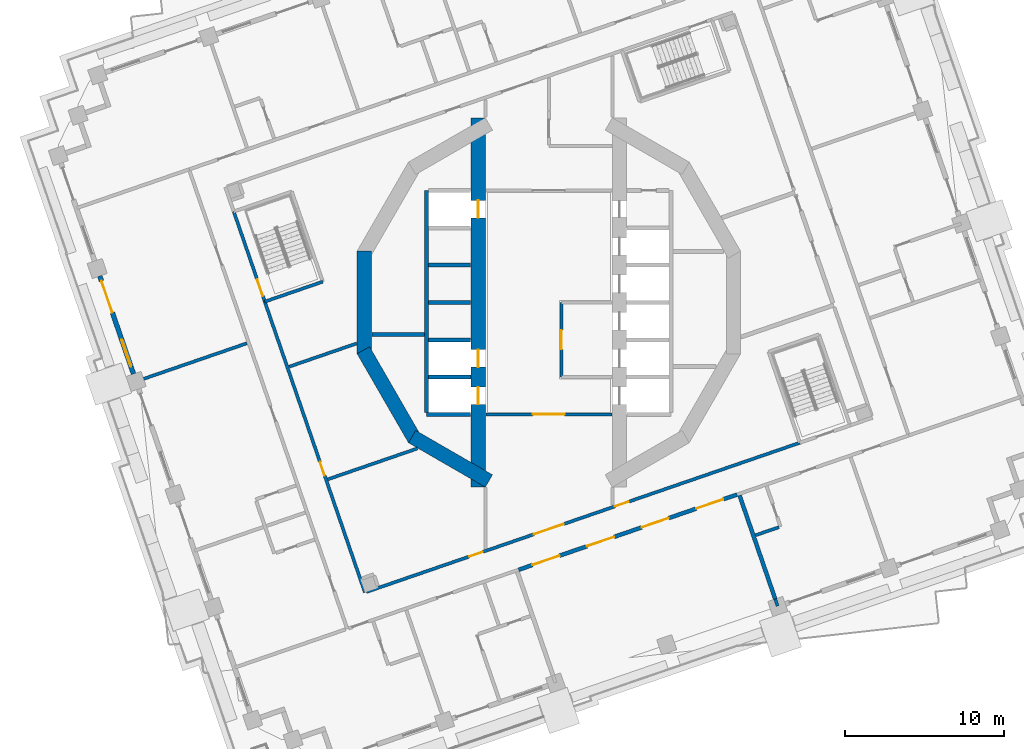
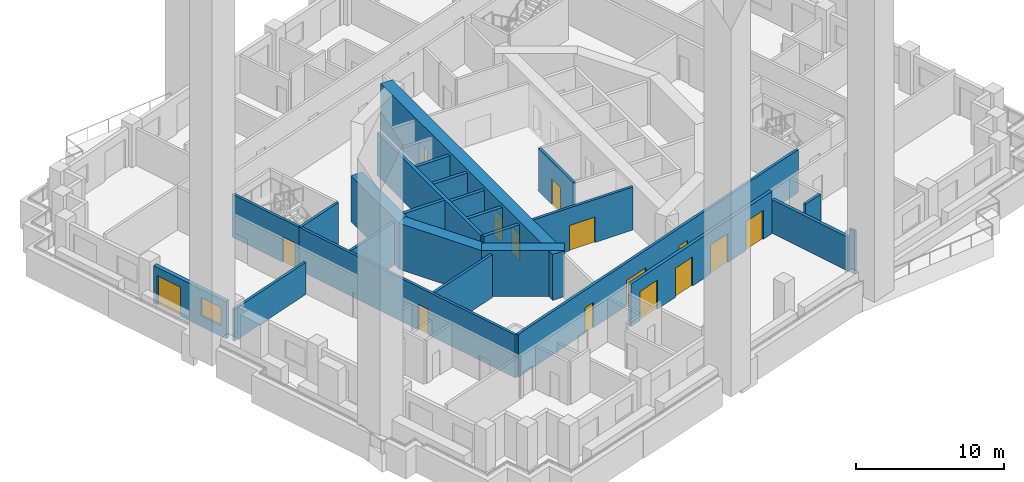
# One storey, part 4 of 18: 25 walls, 15 doors, 1 window, 16 openings.
"""IFC4 building model written with IfcOpenShell, lengths in metres."""

import ifcopenshell
import ifcopenshell.guid

model = None  # the IFC model being written
_history = None  # IfcOwnerHistory: only IFC2X3 demands one
_inside = {}  # id of a spatial element -> (the spatial element, [elements in it])
_under = {}  # id of a project, library or spatial element -> (it, [spatial elements below it])
_declared = {}  # id of a project -> (the project, [libraries it declares])
_typed = {}  # id of a type object -> (the type object, [elements of that type])
_made_of = {}  # id of a material, layer set ... -> (it, [elements and type objects made of it])


def new_model(schema):
    """Start an empty IFC model of exactly this schema.

    Asked for "IFC4X3", IfcOpenShell would pick the latest addendum, in which some entities
    have other attributes; the version numbers below select the first issue.
    IFC2X3 requires an IfcOwnerHistory on every rooted entity: one is made here for all.
    """
    global model, _history
    if schema == "IFC4X3":
        model = ifcopenshell.file(schema_version=(4, 3, 0, 0))
    else:
        model = ifcopenshell.file(schema=schema)
    _inside.clear()
    _under.clear()
    _declared.clear()
    _typed.clear()
    _made_of.clear()
    _history = None
    if model.schema == "IFC2X3":
        org = make("IfcOrganization", Name="unknown")
        user = make(
            "IfcPersonAndOrganization",
            ThePerson=make("IfcPerson", FamilyName="unknown"),
            TheOrganization=org,
        )
        app = make(
            "IfcApplication",
            ApplicationDeveloper=org,
            Version="unknown",
            ApplicationFullName="unknown",
            ApplicationIdentifier="unknown",
        )
        _history = make(
            "IfcOwnerHistory",
            OwningUser=user,
            OwningApplication=app,
            ChangeAction="ADDED",
            CreationDate=0,
        )
    return model


def make(cls, **values):
    """One entity of the class cls with the attributes given. An attribute that is None is left unset."""
    return model.create_entity(
        cls, **{name: value for name, value in values.items() if value is not None}
    )


def rooted(cls, **values):
    """An entity with a GlobalId (a new one), such as an element, a storey or a relation."""
    return make(cls, GlobalId=ifcopenshell.guid.new(), OwnerHistory=_history, **values)


def si_unit(unit_type, name, prefix=None):
    """IfcSIUnit, for example si_unit("LENGTHUNIT", "METRE", prefix="MILLI")."""
    return make("IfcSIUnit", UnitType=unit_type, Prefix=prefix, Name=name)


def assignment(units):
    """IfcUnitAssignment: the units of a project."""
    return None if units is None else make("IfcUnitAssignment", Units=units)


def point(xyz):
    """IfcCartesianPoint."""
    return None if xyz is None else make("IfcCartesianPoint", Coordinates=xyz)


def direction(xyz):
    """IfcDirection."""
    return None if xyz is None else make("IfcDirection", DirectionRatios=xyz)


def frame(location, z_axis=None, x_axis=None):
    """IfcAxis2Placement3D, a coordinate frame: its origin and axes. An axis left out is left unset."""
    return make(
        "IfcAxis2Placement3D",
        Location=point(location),
        Axis=direction(z_axis),
        RefDirection=direction(x_axis),
    )


def frame_2d(location, x_axis=None):
    """IfcAxis2Placement2D, a coordinate frame in the plane: its origin and x axis."""
    return make(
        "IfcAxis2Placement2D", Location=point(location), RefDirection=direction(x_axis)
    )


def origin():
    """The frame at (0, 0, 0) with its axes left unset."""
    return frame((0.0, 0.0, 0.0))


def place(relative_to, where):
    """IfcLocalPlacement: puts the frame where relative to a parent placement (None: the world)."""
    return make(
        "IfcLocalPlacement", PlacementRelTo=relative_to, RelativePlacement=where
    )


def context(
    kind, dimensions, precision=None, world=None, true_north=None, identifier=None
):
    """IfcGeometricRepresentationContext, for example the 3D "Model" context."""
    return make(
        "IfcGeometricRepresentationContext",
        ContextIdentifier=identifier,
        ContextType=kind,
        CoordinateSpaceDimension=dimensions,
        Precision=precision,
        WorldCoordinateSystem=world,
        TrueNorth=true_north,
    )


def subcontext(parent, identifier, kind, view, scale=None):
    """IfcGeometricRepresentationSubContext, for example "Body" below "Model"."""
    return make(
        "IfcGeometricRepresentationSubContext",
        ContextIdentifier=identifier,
        ContextType=kind,
        ParentContext=parent,
        TargetScale=scale,
        TargetView=view,
    )


def project(units=None, contexts=None):
    """IfcProject with its units and contexts."""
    return rooted(
        "IfcProject",
        Name="project",
        RepresentationContexts=contexts,
        UnitsInContext=assignment(units),
    )


def spatial(cls, under=None, at=None, **own):
    """A site, building, storey or space (cls), placed at a placement, below another one or the project."""
    s = rooted(cls, ObjectPlacement=at, **own)
    if under is not None:
        _under.setdefault(under.id(), (under, []))[1].append(s)
    return s


def profile(cls, at=None, kind="AREA", **sizes):
    """A parametric profile (cls). Its sizes go by their IFC names, for example OverallWidth=200.0."""
    return make(cls, ProfileType=kind, Position=at, **sizes)


def rectangle(**sizes):
    """IfcRectangleProfileDef."""
    return profile("IfcRectangleProfileDef", **sizes)


def extrude(swept, where, along, depth):
    """IfcExtrudedAreaSolid: the profile swept, set in the frame where, extruded along a direction by depth."""
    return make(
        "IfcExtrudedAreaSolid",
        SweptArea=swept,
        Position=where,
        ExtrudedDirection=direction(along),
        Depth=depth,
    )


def shape(context_of_items, identifier, shape_type, items):
    """IfcShapeRepresentation: the items that make up one representation, for example the "Body"."""
    return make(
        "IfcShapeRepresentation",
        ContextOfItems=context_of_items,
        RepresentationIdentifier=identifier,
        RepresentationType=shape_type,
        Items=items,
    )


def material(Name=None, Category=None):
    """IfcMaterial."""
    return make("IfcMaterial", Name=Name, Category=Category)


def layer(
    of_material, thickness, ventilated=None, Name=None, Category=None, Priority=None
):
    """IfcMaterialLayer: one layer of a wall or slab, of a material (None: an air gap)."""
    return make(
        "IfcMaterialLayer",
        Material=of_material,
        LayerThickness=thickness,
        IsVentilated=ventilated,
        Name=Name,
        Category=Category,
        Priority=Priority,
    )


def layer_set(layers, Name=None):
    """IfcMaterialLayerSet."""
    return make("IfcMaterialLayerSet", MaterialLayers=layers, LayerSetName=Name)


def made_of(thing, what):
    """Note that an element or type object is made of a material, layer set ...; save() writes the relation."""
    if what is not None:
        _made_of.setdefault(what.id(), (what, []))[1].append(thing)
    return thing


def type_object(cls, material=None, **own):
    """A type object (cls), such as IfcWallType, which elements share."""
    return made_of(rooted(cls, **own), material)


def element(
    cls,
    number,
    at=None,
    inside=None,
    cuts=None,
    type_object=None,
    material=None,
    context=None,
    identifier="Body",
    shape_type=None,
    held_by="IfcProductDefinitionShape",
    body=None,
    shapes=None,
    **own,
):
    """One element of the class cls, such as IfcWall. Its Tag is "e" and its number.

    at: its placement. inside: the storey or other place that contains it. cuts: it is an
    opening in that element (IfcRelVoidsElement). A single representation is given by context,
    identifier, shape_type and body (its items); several are given by shapes. held_by: the class
    of the entity that holds the representations. save() writes the other relations.
    """
    e = rooted(cls, Tag="e%d" % number, ObjectPlacement=at, **own)
    if body is not None:
        shapes = [shape(context, identifier, shape_type, body)]
    if shapes is not None:
        e.Representation = make(held_by, Representations=shapes)
    if inside is not None:
        _inside.setdefault(inside.id(), (inside, []))[1].append(e)
    if cuts is not None:
        rooted(
            "IfcRelVoidsElement", RelatingBuildingElement=cuts, RelatedOpeningElement=e
        )
    if type_object is not None:
        _typed.setdefault(type_object.id(), (type_object, []))[1].append(e)
    return made_of(e, material)


def fill(opening, filler):
    """IfcRelFillsElement: the door or window that sits in an opening."""
    return rooted(
        "IfcRelFillsElement",
        RelatingOpeningElement=opening,
        RelatedBuildingElement=filler,
    )


def aggregate(whole, parts):
    """IfcRelAggregates: a whole, such as a stair, and the parts it consists of."""
    return rooted("IfcRelAggregates", RelatingObject=whole, RelatedObjects=parts)


def save(model, path):
    """Write the relations noted so far, then the file.

    IfcRelAggregates (storeys below a building ...), IfcRelContainedInSpatialStructure (elements
    in a storey), IfcRelDefinesByType, IfcRelAssociatesMaterial and IfcRelDeclares: one each for
    every whole, place, type object, material and project.
    """
    for whole, parts in _under.values():
        aggregate(whole, parts)
    for where, things in _inside.values():
        rooted(
            "IfcRelContainedInSpatialStructure",
            RelatedElements=things,
            RelatingStructure=where,
        )
    for kind, things in _typed.values():
        rooted("IfcRelDefinesByType", RelatedObjects=things, RelatingType=kind)
    for what, things in _made_of.values():
        rooted("IfcRelAssociatesMaterial", RelatedObjects=things, RelatingMaterial=what)
    for by, libraries in _declared.values():
        rooted("IfcRelDeclares", RelatingContext=by, RelatedDefinitions=libraries)
    model.write(path)


model = new_model("IFC4")

# Units and contexts
model_context = context("Model", 3, precision=1e-05, world=origin(), true_north=direction((0.0, 1.0)))
body_context = subcontext(model_context, "Body", "Model", "MODEL_VIEW")
ifc_project = project(units=[si_unit("LENGTHUNIT", "METRE"), si_unit("AREAUNIT", "SQUARE_METRE"), si_unit("VOLUMEUNIT", "CUBIC_METRE"), si_unit("PLANEANGLEUNIT", "RADIAN"), si_unit("MASSUNIT", "GRAM", prefix="KILO")], contexts=[model_context])

# Site, building, storey
site_placement = place(None, origin())
site = spatial("IfcSite", under=ifc_project, at=site_placement, CompositionType="ELEMENT")
building_placement = place(site_placement, origin())
building = spatial("IfcBuilding", under=site, at=building_placement, Name="Cantera Rosa Tower", CompositionType="ELEMENT")
storey_placement = place(building_placement, frame((0.0, 0.0, 100.300048828125)))
storey = spatial("IfcBuildingStorey", under=building, at=storey_placement, Name="L19", CompositionType="ELEMENT", Elevation=100.300048828125)

# Wall, opening, door
ifc_material_1 = material(Name="Gypsum board partition")
ifc_layer_1 = layer(ifc_material_1, 0.199951171875)
ifc_layer_set_1 = layer_set([ifc_layer_1], Name="CORRIDOR WALL 200 H3550")
wall_type_1 = type_object("IfcWallType", Name="CORRIDOR WALL 200 H3550", PredefinedType="PARTITIONING", material=ifc_layer_set_1)
wall_1_placement = place(storey_placement, frame((-17.8916015625, 0.05126953125, 0.0), z_axis=(0.0, 0.0, 1.0), x_axis=(0.325580537834, -0.94551431157, 0.0)))
wall_1 = element("IfcWall", 1, at=wall_1_placement, inside=storey, type_object=wall_type_1, Name="CORRIDOR WALL L19-014", PredefinedType="PARTITIONING", context=body_context, shape_type="SweptSolid", body=[
    extrude(rectangle(XDim=19.37353515625, YDim=0.199951171875, at=frame_2d((9.686767578125, 0.0))), origin(), (0.0, 0.0, 1.0), 3.550048828125),
])
opening_1_placement = place(wall_1_placement, frame((10.67333984375, 0.0, 0.0)))
opening_1 = element("IfcOpeningElement", 2, at=opening_1_placement, cuts=wall_1, Name="Opening L19-006", PredefinedType="OPENING", context=body_context, shape_type="SweptSolid", body=[
    extrude(rectangle(XDim=0.89990234375, YDim=2.10009765625, at=frame_2d((0.449951171875, 1.050048828125))), frame((0.0, 0.10986328125, 0.0), z_axis=(0.0, -1.0, 0.0), x_axis=(1.0, 0.0, 0.0)), (0.0, 0.0, 1.0), 0.219970703125),
])
ifc_material_2 = material(Name="Timber door leaf", Category="wood")
door_type_1 = type_object("IfcDoorType", Name="SERVICE DOOR 900x2100", OperationType="NOTDEFINED", PredefinedType="DOOR", material=ifc_material_2)
door_1_placement = place(opening_1_placement, origin())
door_1 = element("IfcDoor", 3, at=door_1_placement, inside=storey, type_object=door_type_1, Name="DOOR L19-006", OperationType="NOTDEFINED", OverallHeight=2.10009765625, OverallWidth=0.89990234375, PredefinedType="DOOR", context=body_context, shape_type="SweptSolid", body=[
    extrude(rectangle(XDim=0.89990234375, YDim=2.10009765625, at=frame_2d((0.449951171875, 1.050048828125))), frame((0.0, 0.02490234375, 0.0), z_axis=(0.0, -1.0, 0.0), x_axis=(1.0, 0.0, 0.0)), (0.0, 0.0, 1.0), 0.050048828125),
])
fill(opening_1, door_1)

# Wall, openings, doors
wall_2_placement = place(storey_placement, frame((-11.489501953125, -18.23388671875, 0.0), z_axis=(0.0, 0.0, 1.0), x_axis=(0.945519622926, 0.325565112782, 0.0)))
wall_2 = element("IfcWall", 4, at=wall_2_placement, inside=storey, type_object=wall_type_1, Name="CORRIDOR WALL L19-024", PredefinedType="PARTITIONING", context=body_context, shape_type="SweptSolid", body=[
    extrude(rectangle(XDim=28.873291015625, YDim=0.199951171875, at=frame_2d((14.4365234375, 0.0))), origin(), (0.0, 0.0, 1.0), 3.550048828125),
])
opening_2_placement = place(wall_2_placement, frame((6.850830078125, 0.0, 0.0)))
opening_2 = element("IfcOpeningElement", 5, at=opening_2_placement, cuts=wall_2, Name="Opening L19-007", PredefinedType="OPENING", context=body_context, shape_type="SweptSolid", body=[
    extrude(rectangle(XDim=0.89990234375, YDim=2.10009765625, at=frame_2d((0.449951171875, 1.050048828125))), frame((0.0, 0.10986328125, 0.0), z_axis=(0.0, -1.0, 0.0), x_axis=(1.0, 0.0, 0.0)), (0.0, 0.0, 1.0), 0.219970703125),
])
opening_3_placement = place(wall_2_placement, frame((16.556640625, 0.0, 0.0)))
opening_3 = element("IfcOpeningElement", 6, at=opening_3_placement, cuts=wall_2, Name="Opening L19-008", PredefinedType="OPENING", context=body_context, shape_type="SweptSolid", body=[
    extrude(rectangle(XDim=0.89990234375, YDim=2.10009765625, at=frame_2d((0.449951171875, 1.050048828125))), frame((0.0, 0.10986328125, 0.0), z_axis=(0.0, -1.0, 0.0), x_axis=(1.0, 0.0, 0.0)), (0.0, 0.0, 1.0), 0.219970703125),
])
opening_4_placement = place(wall_2_placement, frame((11.151611328125, 0.0, 0.0)))
opening_4 = element("IfcOpeningElement", 7, at=opening_4_placement, cuts=wall_2, Name="Opening L19-012", PredefinedType="OPENING", context=body_context, shape_type="SweptSolid", body=[
    extrude(rectangle(XDim=2.0, YDim=2.10009765625, at=frame_2d((1.0, 1.050048828125))), frame((0.0, 0.10986328125, 0.0), z_axis=(0.0, -1.0, 0.0), x_axis=(1.0, 0.0, 0.0)), (0.0, 0.0, 1.0), 0.219970703125),
])
ifc_material_3 = material(Name="Steel S355J2 (EN 10025-2)", Category="steel")
door_type_2 = type_object("IfcDoorType", Name="LOBBY SCREEN DOOR 2000x2100", OperationType="NOTDEFINED", PredefinedType="DOOR", material=ifc_material_3)
door_2_placement = place(opening_4_placement, origin())
door_2 = element("IfcDoor", 8, at=door_2_placement, inside=storey, type_object=door_type_2, Name="DOOR L19-012", OperationType="NOTDEFINED", OverallHeight=2.10009765625, OverallWidth=2.0, PredefinedType="DOOR", context=body_context, shape_type="SweptSolid", body=[
    extrude(rectangle(XDim=2.0, YDim=2.10009765625, at=frame_2d((1.0, 1.050048828125))), frame((0.0, 0.02490234375, 0.0), z_axis=(0.0, -1.0, 0.0), x_axis=(1.0, 0.0, 0.0)), (0.0, 0.0, 1.0), 0.050048828125),
])
fill(opening_4, door_2)
door_3_placement = place(opening_2_placement, origin())
door_3 = element("IfcDoor", 9, at=door_3_placement, inside=storey, type_object=door_type_1, Name="DOOR L19-007", OperationType="NOTDEFINED", OverallHeight=2.10009765625, OverallWidth=0.89990234375, PredefinedType="DOOR", context=body_context, shape_type="SweptSolid", body=[
    extrude(rectangle(XDim=0.89990234375, YDim=2.10009765625, at=frame_2d((0.449951171875, 1.050048828125))), frame((0.0, 0.02490234375, 0.0), z_axis=(0.0, -1.0, 0.0), x_axis=(1.0, 0.0, 0.0)), (0.0, 0.0, 1.0), 0.050048828125),
])
fill(opening_2, door_3)
door_4_placement = place(opening_3_placement, origin())
door_4 = element("IfcDoor", 10, at=door_4_placement, inside=storey, type_object=door_type_1, Name="DOOR L19-008", OperationType="NOTDEFINED", OverallHeight=2.10009765625, OverallWidth=0.89990234375, PredefinedType="DOOR", context=body_context, shape_type="SweptSolid", body=[
    extrude(rectangle(XDim=0.89990234375, YDim=2.10009765625, at=frame_2d((0.449951171875, 1.050048828125))), frame((0.0, 0.02490234375, 0.0), z_axis=(0.0, -1.0, 0.0), x_axis=(1.0, 0.0, 0.0)), (0.0, 0.0, 1.0), 0.050048828125),
])
fill(opening_3, door_4)

# Wall, opening, door
wall_3_placement = place(storey_placement, frame((3.969970703125, -7.050048828125, 0.0), z_axis=(0.0, 0.0, 1.0), x_axis=(-1.0, 0.0, 0.0)))
wall_3 = element("IfcWall", 11, at=wall_3_placement, inside=storey, type_object=wall_type_1, Name="CORRIDOR WALL L19-059", PredefinedType="PARTITIONING", context=body_context, shape_type="SweptSolid", body=[
    extrude(rectangle(XDim=7.93994140625, YDim=0.199951171875, at=frame_2d((3.969970703125, 0.0))), origin(), (0.0, 0.0, 1.0), 3.550048828125),
])
opening_5_placement = place(wall_3_placement, frame((2.969970703125, 0.0, 0.0)))
opening_5 = element("IfcOpeningElement", 12, at=opening_5_placement, cuts=wall_3, Name="Opening L19-013", PredefinedType="OPENING", context=body_context, shape_type="SweptSolid", body=[
    extrude(rectangle(XDim=2.0, YDim=2.10009765625, at=frame_2d((1.0, 1.050048828125))), frame((0.0, 0.10986328125, 0.0), z_axis=(0.0, -1.0, 0.0), x_axis=(1.0, 0.0, 0.0)), (0.0, 0.0, 1.0), 0.219970703125),
])
door_5_placement = place(opening_5_placement, origin())
door_5 = element("IfcDoor", 13, at=door_5_placement, inside=storey, type_object=door_type_2, Name="DOOR L19-013", OperationType="NOTDEFINED", OverallHeight=2.10009765625, OverallWidth=2.0, PredefinedType="DOOR", context=body_context, shape_type="SweptSolid", body=[
    extrude(rectangle(XDim=2.0, YDim=2.10009765625, at=frame_2d((1.0, 1.050048828125))), frame((0.0, 0.02490234375, 0.0), z_axis=(0.0, -1.0, 0.0), x_axis=(1.0, 0.0, 0.0)), (0.0, 0.0, 1.0), 0.050048828125),
])
fill(opening_5, door_5)

# Wall, openings, window, door
ifc_material_4 = material(Name="Hollow clay masonry with cantera stone cladding", Category="masonry")
ifc_layer_2 = layer(ifc_material_4, 0.300048828125)
ifc_layer_set_2 = layer_set([ifc_layer_2], Name="EW-LOGGIA 300 H3090")
wall_type_2 = type_object("IfcWallType", Name="EW-LOGGIA 300 H3090", PredefinedType="SOLIDWALL", material=ifc_layer_set_2)
wall_4_placement = place(storey_placement, frame((-28.2822265625, 1.662841796875, 0.0), z_axis=(0.0, 0.0, 1.0), x_axis=(0.325580990241, -0.945514155787, 0.0)))
wall_4 = element("IfcWall", 14, at=wall_4_placement, inside=storey, type_object=wall_type_2, Name="EN-L19-W17", PredefinedType="SOLIDWALL", context=body_context, shape_type="SweptSolid", body=[
    extrude(rectangle(XDim=6.52001953125, YDim=0.300048828125, at=frame_2d((3.260009765625, 0.0))), origin(), (0.0, 0.0, 1.0), 3.08984375),
])
opening_6_placement = place(wall_4_placement, frame((0.330078125, 0.0, 0.0)))
opening_6 = element("IfcOpeningElement", 15, at=opening_6_placement, cuts=wall_4, Name="Opening L19-TD25", PredefinedType="OPENING", context=body_context, shape_type="SweptSolid", body=[
    extrude(rectangle(XDim=2.10009765625, YDim=2.39990234375, at=frame_2d((1.050048828125, 1.199951171875))), frame((0.0, 0.159912109375, 0.0), z_axis=(0.0, -1.0, 0.0), x_axis=(1.0, 0.0, 0.0)), (0.0, 0.0, 1.0), 0.320068359375),
])
opening_7_placement = place(wall_4_placement, frame((4.239990234375, 0.0, 0.89990234375)))
opening_7 = element("IfcOpeningElement", 16, at=opening_7_placement, cuts=wall_4, Name="Opening L19-W26", PredefinedType="OPENING", context=body_context, shape_type="SweptSolid", body=[
    extrude(rectangle(XDim=1.800048828125, YDim=1.5, at=frame_2d((0.89990234375, 0.75))), frame((0.0, 0.159912109375, 0.0), z_axis=(0.0, -1.0, 0.0), x_axis=(1.0, 0.0, 0.0)), (0.0, 0.0, 1.0), 0.320068359375),
])
ifc_material_5 = material(Name="Aluminium frame with clear glass", Category="aluminium")
window_type = type_object("IfcWindowType", Name="Hotel room window 1800x1500", PartitioningType="DOUBLE_PANEL_VERTICAL", PredefinedType="WINDOW", material=ifc_material_5)
window_placement = place(opening_7_placement, origin())
window = element("IfcWindow", 17, at=window_placement, inside=storey, type_object=window_type, Name="WINDOW L19-W26", OverallHeight=1.5, OverallWidth=1.800048828125, PartitioningType="SINGLE_PANEL", PredefinedType="WINDOW", context=body_context, shape_type="SweptSolid", body=[
    extrude(rectangle(XDim=1.800048828125, YDim=1.5, at=frame_2d((0.89990234375, 0.75))), frame((0.0, 0.030029296875, 0.0), z_axis=(0.0, -1.0, 0.0), x_axis=(1.0, 0.0, 0.0)), (0.0, 0.0, 1.0), 0.06005859375),
])
fill(opening_7, window)
ifc_material_6 = material(Name="Aluminium frame with clear glass", Category="aluminium")
door_type_3 = type_object("IfcDoorType", Name="TD-H 2100x2400", OperationType="NOTDEFINED", PredefinedType="DOOR", material=ifc_material_6)
door_6_placement = place(opening_6_placement, origin())
door_6 = element("IfcDoor", 18, at=door_6_placement, inside=storey, type_object=door_type_3, Name="LOGGIA DOOR L19-TD25", OperationType="SLIDING_TO_LEFT", OverallHeight=2.39990234375, OverallWidth=2.10009765625, PredefinedType="DOOR", context=body_context, shape_type="SweptSolid", body=[
    extrude(rectangle(XDim=2.10009765625, YDim=2.39990234375, at=frame_2d((1.050048828125, 1.199951171875))), frame((0.0, 0.02490234375, 0.0), z_axis=(0.0, -1.0, 0.0), x_axis=(1.0, 0.0, 0.0)), (0.0, 0.0, 1.0), 0.050048828125),
])
fill(opening_6, door_6)

# Wall
ifc_material_7 = material(Name="Concrete C40/50", Category="concrete")
ifc_layer_3 = layer(ifc_material_7, 0.25)
ifc_layer_set_3 = layer_set([ifc_layer_3], Name="EW-POCKET CHEEK 250 H2795")
wall_type_3 = type_object("IfcWallType", Name="EW-POCKET CHEEK 250 H2795", PredefinedType="SOLIDWALL", material=ifc_layer_set_3)
wall_5_placement = place(storey_placement, frame((14.257080078125, -18.67578125, 0.0), z_axis=(0.0, 0.0, 1.0), x_axis=(-0.325595912607, 0.945509017246, 0.0)))
element("IfcWall", 19, at=wall_5_placement, inside=storey, type_object=wall_type_3, Name="POCKET CHEEK B L19", PredefinedType="SOLIDWALL", context=body_context, shape_type="SweptSolid", body=[
    extrude(rectangle(XDim=6.89990234375, YDim=0.25, at=frame_2d((3.449951171875, 0.0))), origin(), (0.0, 0.0, 1.0), 2.794921875),
])

# Wall, openings, doors
ifc_material_8 = material(Name="Hollow clay masonry with cantera stone cladding", Category="masonry")
ifc_layer_4 = layer(ifc_material_8, 0.25)
ifc_layer_set_4 = layer_set([ifc_layer_4], Name="EW-POCKET REAR 250")
wall_type_4 = type_object("IfcWallType", Name="EW-POCKET REAR 250", PredefinedType="SOLIDWALL", material=ifc_layer_set_4)
wall_6_placement = place(storey_placement, frame((-1.8974609375, -16.8349609375, 0.0), z_axis=(0.0, 0.0, 1.0), x_axis=(0.945517857679, 0.325570239442, 0.0)))
wall_6 = element("IfcWall", 20, at=wall_6_placement, inside=storey, type_object=wall_type_4, Name="POCKET REAR L19", PredefinedType="SOLIDWALL", context=body_context, shape_type="SweptSolid", body=[
    extrude(rectangle(XDim=14.550048828125, YDim=0.25, at=frame_2d((7.27490234375, 0.0))), origin(), (0.0, 0.0, 1.0), 3.5),
])
opening_8_placement = place(wall_6_placement, frame((0.918701171875, 0.0, 0.0)))
opening_8 = element("IfcOpeningElement", 21, at=opening_8_placement, cuts=wall_6, Name="Opening L19-LT01", PredefinedType="OPENING", context=body_context, shape_type="SweptSolid", body=[
    extrude(rectangle(XDim=1.800048828125, YDim=2.39990234375, at=frame_2d((0.89990234375, 1.199951171875))), frame((0.0, 0.135009765625, 0.0), z_axis=(0.0, -1.0, 0.0), x_axis=(1.0, 0.0, 0.0)), (0.0, 0.0, 1.0), 0.27001953125),
])
opening_9_placement = place(wall_6_placement, frame((4.55615234375, 0.0, 0.0)))
opening_9 = element("IfcOpeningElement", 22, at=opening_9_placement, cuts=wall_6, Name="Opening L19-LT02", PredefinedType="OPENING", context=body_context, shape_type="SweptSolid", body=[
    extrude(rectangle(XDim=1.800048828125, YDim=2.39990234375, at=frame_2d((0.89990234375, 1.199951171875))), frame((0.0, 0.135009765625, 0.0), z_axis=(0.0, -1.0, 0.0), x_axis=(1.0, 0.0, 0.0)), (0.0, 0.0, 1.0), 0.27001953125),
])
opening_10_placement = place(wall_6_placement, frame((8.19384765625, 0.0, 0.0)))
opening_10 = element("IfcOpeningElement", 23, at=opening_10_placement, cuts=wall_6, Name="Opening L19-LT03", PredefinedType="OPENING", context=body_context, shape_type="SweptSolid", body=[
    extrude(rectangle(XDim=1.800048828125, YDim=2.39990234375, at=frame_2d((0.89990234375, 1.199951171875))), frame((0.0, 0.135009765625, 0.0), z_axis=(0.0, -1.0, 0.0), x_axis=(1.0, 0.0, 0.0)), (0.0, 0.0, 1.0), 0.27001953125),
])
opening_11_placement = place(wall_6_placement, frame((11.831298828125, 0.0, 0.0)))
opening_11 = element("IfcOpeningElement", 24, at=opening_11_placement, cuts=wall_6, Name="Opening L19-LT04", PredefinedType="OPENING", context=body_context, shape_type="SweptSolid", body=[
    extrude(rectangle(XDim=1.800048828125, YDim=2.39990234375, at=frame_2d((0.89990234375, 1.199951171875))), frame((0.0, 0.135009765625, 0.0), z_axis=(0.0, -1.0, 0.0), x_axis=(1.0, 0.0, 0.0)), (0.0, 0.0, 1.0), 0.27001953125),
])
ifc_material_9 = material(Name="Aluminium frame with clear glass", Category="aluminium")
door_type_4 = type_object("IfcDoorType", Name="TD-T 1800x2400", OperationType="NOTDEFINED", PredefinedType="DOOR", material=ifc_material_9)
door_7_placement = place(opening_8_placement, origin())
door_7 = element("IfcDoor", 25, at=door_7_placement, inside=storey, type_object=door_type_4, Name="TERRACE DOOR L19-LT01", OperationType="DOUBLE_DOOR_SINGLE_SWING", OverallHeight=2.39990234375, OverallWidth=1.800048828125, PredefinedType="DOOR", context=body_context, shape_type="SweptSolid", body=[
    extrude(rectangle(XDim=1.800048828125, YDim=2.39990234375, at=frame_2d((0.89990234375, 1.199951171875))), frame((0.0, 0.02490234375, 0.0), z_axis=(0.0, -1.0, 0.0), x_axis=(1.0, 0.0, 0.0)), (0.0, 0.0, 1.0), 0.050048828125),
])
fill(opening_8, door_7)
door_8_placement = place(opening_9_placement, origin())
door_8 = element("IfcDoor", 26, at=door_8_placement, inside=storey, type_object=door_type_4, Name="TERRACE DOOR L19-LT02", OperationType="DOUBLE_DOOR_SINGLE_SWING", OverallHeight=2.39990234375, OverallWidth=1.800048828125, PredefinedType="DOOR", context=body_context, shape_type="SweptSolid", body=[
    extrude(rectangle(XDim=1.800048828125, YDim=2.39990234375, at=frame_2d((0.89990234375, 1.199951171875))), frame((0.0, 0.02490234375, 0.0), z_axis=(0.0, -1.0, 0.0), x_axis=(1.0, 0.0, 0.0)), (0.0, 0.0, 1.0), 0.050048828125),
])
fill(opening_9, door_8)
door_9_placement = place(opening_10_placement, origin())
door_9 = element("IfcDoor", 27, at=door_9_placement, inside=storey, type_object=door_type_4, Name="TERRACE DOOR L19-LT03", OperationType="DOUBLE_DOOR_SINGLE_SWING", OverallHeight=2.39990234375, OverallWidth=1.800048828125, PredefinedType="DOOR", context=body_context, shape_type="SweptSolid", body=[
    extrude(rectangle(XDim=1.800048828125, YDim=2.39990234375, at=frame_2d((0.89990234375, 1.199951171875))), frame((0.0, 0.02490234375, 0.0), z_axis=(0.0, -1.0, 0.0), x_axis=(1.0, 0.0, 0.0)), (0.0, 0.0, 1.0), 0.050048828125),
])
fill(opening_10, door_9)
door_10_placement = place(opening_11_placement, origin())
door_10 = element("IfcDoor", 28, at=door_10_placement, inside=storey, type_object=door_type_4, Name="TERRACE DOOR L19-LT04", OperationType="DOUBLE_DOOR_SINGLE_SWING", OverallHeight=2.39990234375, OverallWidth=1.800048828125, PredefinedType="DOOR", context=body_context, shape_type="SweptSolid", body=[
    extrude(rectangle(XDim=1.800048828125, YDim=2.39990234375, at=frame_2d((0.89990234375, 1.199951171875))), frame((0.0, 0.02490234375, 0.0), z_axis=(0.0, -1.0, 0.0), x_axis=(1.0, 0.0, 0.0)), (0.0, 0.0, 1.0), 0.050048828125),
])
fill(opening_11, door_10)

# Walls
ifc_material_10 = material(Name="Gypsum board partition")
ifc_layer_5 = layer(ifc_material_10, 0.199951171875)
ifc_layer_set_5 = layer_set([ifc_layer_5], Name="PARTITION 200 H3550")
wall_type_5 = type_object("IfcWallType", Name="PARTITION 200 H3550", PredefinedType="PARTITIONING", material=ifc_layer_set_5)
wall_7_placement = place(storey_placement, frame((-12.10400390625, -2.581298828125, 0.0), z_axis=(0.0, 0.0, 1.0), x_axis=(-0.945508534203, -0.325597315328, 0.0)))
element("IfcWall", 29, at=wall_7_placement, inside=storey, type_object=wall_type_5, Name="PARTITION L19-022", PredefinedType="PARTITIONING", context=body_context, shape_type="SweptSolid", body=[
    extrude(rectangle(XDim=4.4951171875, YDim=0.199951171875, at=frame_2d((2.24755859375, 0.0))), origin(), (0.0, 0.0, 1.0), 3.550048828125),
])
wall_8_placement = place(storey_placement, frame((-8.279296875, -9.196533203125, 0.0), z_axis=(0.0, 0.0, 1.0), x_axis=(-0.945525220819, -0.325548854699, 0.0)))
element("IfcWall", 30, at=wall_8_placement, inside=storey, type_object=wall_type_5, Name="PARTITION L19-030", PredefinedType="PARTITIONING", context=body_context, shape_type="SweptSolid", body=[
    extrude(rectangle(XDim=5.977783203125, YDim=0.199951171875, at=frame_2d((2.98876953125, 0.0))), origin(), (0.0, 0.0, 1.0), 3.550048828125),
])
wall_9_placement = place(storey_placement, frame((14.4970703125, -14.151123046875, 0.0), z_axis=(0.0, 0.0, 1.0), x_axis=(-0.945517118812, -0.325572385244, 0.0)))
element("IfcWall", 31, at=wall_9_placement, inside=storey, type_object=wall_type_5, Name="PARTITION L19-092", PredefinedType="PARTITIONING", context=body_context, shape_type="SweptSolid", body=[
    extrude(rectangle(XDim=1.56494140625, YDim=0.199951171875, at=frame_2d((0.782470703125, 0.0))), origin(), (0.0, 0.0, 1.0), 3.550048828125),
])
ifc_material_11 = material(Name="Gypsum board partition")
ifc_layer_6 = layer(ifc_material_11, 0.199951171875)
ifc_layer_set_6 = layer_set([ifc_layer_6], Name="PARTY WALL 200 H2650")
wall_type_6 = type_object("IfcWallType", Name="PARTY WALL 200 H2650", PredefinedType="PARTITIONING", material=ifc_layer_set_6)
wall_10_placement = place(storey_placement, frame((-19.018798828125, -2.572021484375, 0.0), z_axis=(0.0, 0.0, 1.0), x_axis=(-0.945514790731, -0.325579146306, 0.0)))
element("IfcWall", 32, at=wall_10_placement, inside=storey, type_object=wall_type_6, Name="PARTY WALL L19-010", PredefinedType="PARTITIONING", context=body_context, shape_type="SweptSolid", body=[
    extrude(rectangle(XDim=7.35009765625, YDim=0.199951171875, at=frame_2d((3.675048828125, 0.0))), origin(), (0.0, 0.0, 1.0), 2.64990234375),
])
ifc_material_12 = material(Name="Gypsum board partition")
ifc_layer_7 = layer(ifc_material_12, 0.199951171875)
ifc_layer_set_7 = layer_set([ifc_layer_7], Name="PARTY WALL 200 H3550")
wall_type_7 = type_object("IfcWallType", Name="PARTY WALL 200 H3550", PredefinedType="PARTITIONING", material=ifc_layer_set_7)
wall_11_placement = place(storey_placement, frame((14.409912109375, -19.120361328125, 0.0), z_axis=(0.0, 0.0, 1.0), x_axis=(-0.325094282218, 0.945681610094, 0.0)))
element("IfcWall", 33, at=wall_11_placement, inside=storey, type_object=wall_type_7, Name="PARTY WALL L19-091", PredefinedType="PARTITIONING", context=body_context, shape_type="SweptSolid", body=[
    extrude(rectangle(XDim=0.47021484375, YDim=0.199951171875, at=frame_2d((0.235107421875, 0.0))), origin(), (0.0, 0.0, 1.0), 3.550048828125),
])
ifc_material_13 = material(Name="Concrete C70/85", Category="concrete")
ifc_layer_8 = layer(ifc_material_13, 0.89990234375)
ifc_layer_set_8 = layer_set([ifc_layer_8], Name="RC CORE WALL 900 C70/85")
wall_type_8 = type_object("IfcWallType", Name="RC CORE WALL 900 C70/85", PredefinedType="SHEAR", material=ifc_layer_set_8)
wall_12_placement = place(storey_placement, frame((-3.77490234375, -11.242919921875, 0.0), z_axis=(0.0, 0.0, 1.0), x_axis=(-0.866026961591, 0.49999730179, 0.0)))
element("IfcWall", 34, at=wall_12_placement, inside=storey, type_object=wall_type_8, Name="CW-W1 L19", PredefinedType="SHEAR", context=body_context, shape_type="SweptSolid", body=[
    extrude(rectangle(XDim=5.58740234375, YDim=0.89990234375, at=frame_2d((2.793701171875, 0.0))), origin(), (0.0, 0.0, 1.0), 3.800048828125),
])
wall_13_placement = place(storey_placement, frame((-8.44921875, -8.61376953125, 0.0), z_axis=(0.0, 0.0, 1.0), x_axis=(-0.499990282633, 0.866031014036, 0.0)))
element("IfcWall", 35, at=wall_13_placement, inside=storey, type_object=wall_type_8, Name="CW-W2 L19", PredefinedType="SHEAR", context=body_context, shape_type="SweptSolid", body=[
    extrude(rectangle(XDim=6.470458984375, YDim=0.89990234375, at=frame_2d((3.2353515625, 0.0))), origin(), (0.0, 0.0, 1.0), 3.800048828125),
])
wall_14_placement = place(storey_placement, frame((-11.6240234375, -3.2353515625, 0.0), z_axis=(0.0, 0.0, 1.0), x_axis=(0.0, 1.0, 0.0)))
element("IfcWall", 36, at=wall_14_placement, inside=storey, type_object=wall_type_8, Name="CW-W3 L19", PredefinedType="SHEAR", context=body_context, shape_type="SweptSolid", body=[
    extrude(rectangle(XDim=6.470703125, YDim=0.89990234375, at=frame_2d((3.2353515625, 0.0))), origin(), (0.0, 0.0, 1.0), 3.800048828125),
])

# Wall, openings, doors
wall_15_placement = place(storey_placement, frame((-4.449951171875, 11.632568359375, 0.0), z_axis=(0.0, 0.0, 1.0), x_axis=(0.0, -1.0, 0.0)))
wall_15 = element("IfcWall", 37, at=wall_15_placement, inside=storey, type_object=wall_type_8, Name="CW-W6 L19", PredefinedType="SHEAR", context=body_context, shape_type="SweptSolid", body=[
    extrude(rectangle(XDim=23.26513671875, YDim=0.89990234375, at=frame_2d((11.632568359375, 0.0))), origin(), (0.0, 0.0, 1.0), 3.800048828125),
])
opening_12_placement = place(wall_15_placement, frame((14.607421875, 0.0, 0.0)))
opening_12 = element("IfcOpeningElement", 38, at=opening_12_placement, cuts=wall_15, Name="Opening LD-P3-L19", PredefinedType="OPENING", context=body_context, shape_type="SweptSolid", body=[
    extrude(rectangle(XDim=1.10009765625, YDim=2.10009765625, at=frame_2d((0.550048828125, 1.050048828125))), frame((0.0, 0.4599609375, 0.0), z_axis=(0.0, -1.0, 0.0), x_axis=(1.0, 0.0, 0.0)), (0.0, 0.0, 1.0), 0.919921875),
])
opening_13_placement = place(wall_15_placement, frame((16.95751953125, 0.0, 0.0)))
opening_13 = element("IfcOpeningElement", 39, at=opening_13_placement, cuts=wall_15, Name="Opening LD-P4-L19", PredefinedType="OPENING", context=body_context, shape_type="SweptSolid", body=[
    extrude(rectangle(XDim=1.10009765625, YDim=2.10009765625, at=frame_2d((0.550048828125, 1.050048828125))), frame((0.0, 0.4599609375, 0.0), z_axis=(0.0, -1.0, 0.0), x_axis=(1.0, 0.0, 0.0)), (0.0, 0.0, 1.0), 0.919921875),
])
opening_14_placement = place(wall_15_placement, frame((5.20751953125, 0.0, 0.0)))
opening_14 = element("IfcOpeningElement", 40, at=opening_14_placement, cuts=wall_15, Name="Opening LD-P5-L19", PredefinedType="OPENING", context=body_context, shape_type="SweptSolid", body=[
    extrude(rectangle(XDim=1.10009765625, YDim=2.10009765625, at=frame_2d((0.550048828125, 1.050048828125))), frame((0.0, 0.4599609375, 0.0), z_axis=(0.0, -1.0, 0.0), x_axis=(1.0, 0.0, 0.0)), (0.0, 0.0, 1.0), 0.919921875),
])
ifc_material_14 = material(Name="Steel S355J2 (EN 10025-2)", Category="steel")
door_type_5 = type_object("IfcDoorType", Name="LANDING DOOR 1100x2100", OperationType="NOTDEFINED", PredefinedType="DOOR", material=ifc_material_14)
door_11_placement = place(opening_12_placement, origin())
door_11 = element("IfcDoor", 41, at=door_11_placement, inside=storey, type_object=door_type_5, Name="LANDING DOOR P3 L19", OperationType="SLIDING_TO_LEFT", OverallHeight=2.10009765625, OverallWidth=1.10009765625, PredefinedType="DOOR", context=body_context, shape_type="SweptSolid", body=[
    extrude(rectangle(XDim=1.10009765625, YDim=2.10009765625, at=frame_2d((0.550048828125, 1.050048828125))), frame((0.0, 0.02490234375, 0.0), z_axis=(0.0, -1.0, 0.0), x_axis=(1.0, 0.0, 0.0)), (0.0, 0.0, 1.0), 0.050048828125),
])
fill(opening_12, door_11)
door_12_placement = place(opening_13_placement, origin())
door_12 = element("IfcDoor", 42, at=door_12_placement, inside=storey, type_object=door_type_5, Name="LANDING DOOR P4 L19", OperationType="SLIDING_TO_LEFT", OverallHeight=2.10009765625, OverallWidth=1.10009765625, PredefinedType="DOOR", context=body_context, shape_type="SweptSolid", body=[
    extrude(rectangle(XDim=1.10009765625, YDim=2.10009765625, at=frame_2d((0.550048828125, 1.050048828125))), frame((0.0, 0.02490234375, 0.0), z_axis=(0.0, -1.0, 0.0), x_axis=(1.0, 0.0, 0.0)), (0.0, 0.0, 1.0), 0.050048828125),
])
fill(opening_13, door_12)
door_13_placement = place(opening_14_placement, origin())
door_13 = element("IfcDoor", 43, at=door_13_placement, inside=storey, type_object=door_type_5, Name="LANDING DOOR P5 L19", OperationType="SLIDING_TO_LEFT", OverallHeight=2.10009765625, OverallWidth=1.10009765625, PredefinedType="DOOR", context=body_context, shape_type="SweptSolid", body=[
    extrude(rectangle(XDim=1.10009765625, YDim=2.10009765625, at=frame_2d((0.550048828125, 1.050048828125))), frame((0.0, 0.02490234375, 0.0), z_axis=(0.0, -1.0, 0.0), x_axis=(1.0, 0.0, 0.0)), (0.0, 0.0, 1.0), 0.050048828125),
])
fill(opening_14, door_13)

# Walls
ifc_material_15 = material(Name="Masonry blockwork", Category="masonry")
ifc_layer_9 = layer(ifc_material_15, 0.25)
ifc_layer_set_9 = layer_set([ifc_layer_9], Name="SHAFT WALL 250 H3550")
wall_type_9 = type_object("IfcWallType", Name="SHAFT WALL 250 H3550", PredefinedType="SOLIDWALL", material=ifc_layer_set_9)
wall_16_placement = place(storey_placement, frame((-11.14404296875, -2.0146484375, 0.0), z_axis=(0.0, 0.0, 1.0), x_axis=(1.0, 0.0, 0.0)))
element("IfcWall", 44, at=wall_16_placement, inside=storey, type_object=wall_type_9, Name="SHAFT WALL L19-025", PredefinedType="SOLIDWALL", context=body_context, shape_type="SweptSolid", body=[
    extrude(rectangle(XDim=3.319091796875, YDim=0.25, at=frame_2d((1.65966796875, 0.0))), origin(), (0.0, 0.0, 1.0), 3.550048828125),
])
wall_17_placement = place(storey_placement, frame((-7.699951171875, -7.050048828125, 0.0), z_axis=(0.0, 0.0, 1.0), x_axis=(1.0, 0.0, 0.0)))
element("IfcWall", 45, at=wall_17_placement, inside=storey, type_object=wall_type_9, Name="SHAFT WALL L19-032", PredefinedType="SOLIDWALL", context=body_context, shape_type="SweptSolid", body=[
    extrude(rectangle(XDim=2.77001953125, YDim=0.25, at=frame_2d((1.385009765625, 0.0))), origin(), (0.0, 0.0, 1.0), 3.550048828125),
])
wall_18_placement = place(storey_placement, frame((-7.574951171875, -4.699951171875, 0.0), z_axis=(0.0, 0.0, 1.0), x_axis=(1.0, 0.0, 0.0)))
element("IfcWall", 46, at=wall_18_placement, inside=storey, type_object=wall_type_9, Name="SHAFT WALL L19-033", PredefinedType="SOLIDWALL", context=body_context, shape_type="SweptSolid", body=[
    extrude(rectangle(XDim=2.675048828125, YDim=0.25, at=frame_2d((1.33740234375, 0.0))), origin(), (0.0, 0.0, 1.0), 3.550048828125),
])
for number, where, z_axis, x_axis, name in (
    (47, (-7.574951171875, -2.35009765625, 0.0), (0.0, 0.0, 1.0), (1.0, 0.0, 0.0), "SHAFT WALL L19-034"),
    (48, (-7.574951171875, 0.0, 0.0), (0.0, 0.0, 1.0), (1.0, 0.0, 0.0), "SHAFT WALL L19-035"),
    (49, (-7.574951171875, 2.35009765625, 0.0), (0.0, 0.0, 1.0), (1.0, 0.0, 0.0), "SHAFT WALL L19-036"),
):
    element("IfcWall", number, at=place(storey_placement, frame(where, z_axis=z_axis, x_axis=x_axis)), inside=storey, type_object=wall_type_9, Name=name, PredefinedType="SOLIDWALL", context=body_context, shape_type="SweptSolid", body=[
        extrude(rectangle(XDim=2.64501953125, YDim=0.25, at=frame_2d((1.322509765625, 0.0))), origin(), (0.0, 0.0, 1.0), 3.550048828125),
    ])
wall_19_placement = place(storey_placement, frame((-7.699951171875, 7.050048828125, 0.0), z_axis=(0.0, 0.0, 1.0), x_axis=(0.0, -1.0, 0.0)))
element("IfcWall", 50, at=wall_19_placement, inside=storey, type_object=wall_type_9, Name="SHAFT WALL L19-038", PredefinedType="SOLIDWALL", context=body_context, shape_type="SweptSolid", body=[
    extrude(rectangle(XDim=13.97998046875, YDim=0.25, at=frame_2d((6.989990234375, 0.0))), origin(), (0.0, 0.0, 1.0), 3.550048828125),
])

# Wall, opening, door
ifc_material_16 = material(Name="Concrete C50/60", Category="concrete")
ifc_layer_10 = layer(ifc_material_16, 0.199951171875)
ifc_layer_set_10 = layer_set([ifc_layer_10], Name="STAIR WALL 200 H3550")
wall_type_10 = type_object("IfcWallType", Name="STAIR WALL 200 H3550", PredefinedType="SOLIDWALL", material=ifc_layer_set_10)
wall_20_placement = place(storey_placement, frame((-19.844970703125, 5.724365234375, 0.0), z_axis=(0.0, 0.0, 1.0), x_axis=(0.325563034341, -0.945520338581, 0.0)))
wall_20 = element("IfcWall", 51, at=wall_20_placement, inside=storey, type_object=wall_type_10, Name="STAIR WALL L19-006", PredefinedType="SOLIDWALL", context=body_context, shape_type="SweptSolid", body=[
    extrude(rectangle(XDim=6.0, YDim=0.199951171875, at=frame_2d((3.0, 0.0))), origin(), (0.0, 0.0, 1.0), 3.550048828125),
])
opening_15_placement = place(wall_20_placement, frame((4.52490234375, 0.0, 0.0)))
opening_15 = element("IfcOpeningElement", 52, at=opening_15_placement, cuts=wall_20, Name="Opening L19-002", PredefinedType="OPENING", context=body_context, shape_type="SweptSolid", body=[
    extrude(rectangle(XDim=1.10009765625, YDim=2.10009765625, at=frame_2d((0.550048828125, 1.050048828125))), frame((0.0, 0.10986328125, 0.0), z_axis=(0.0, -1.0, 0.0), x_axis=(1.0, 0.0, 0.0)), (0.0, 0.0, 1.0), 0.219970703125),
])
ifc_material_17 = material(Name="Steel S355J2 (EN 10025-2)", Category="steel")
door_type_6 = type_object("IfcDoorType", Name="STAIR DOOR 1100x2100", OperationType="NOTDEFINED", PredefinedType="DOOR", material=ifc_material_17)
door_14_placement = place(opening_15_placement, origin())
door_14 = element("IfcDoor", 53, at=door_14_placement, inside=storey, type_object=door_type_6, Name="DOOR L19-002", OperationType="NOTDEFINED", OverallHeight=2.10009765625, OverallWidth=1.10009765625, PredefinedType="DOOR", context=body_context, shape_type="SweptSolid", body=[
    extrude(rectangle(XDim=1.10009765625, YDim=2.10009765625, at=frame_2d((0.550048828125, 1.050048828125))), frame((0.0, 0.02490234375, 0.0), z_axis=(0.0, -1.0, 0.0), x_axis=(1.0, 0.0, 0.0)), (0.0, 0.0, 1.0), 0.050048828125),
])
fill(opening_15, door_14)

# Wall
wall_21_placement = place(storey_placement, frame((-17.8916015625, 0.05126953125, 0.0), z_axis=(0.0, 0.0, 1.0), x_axis=(0.945514621213, 0.325579638603, 0.0)))
element("IfcWall", 54, at=wall_21_placement, inside=storey, type_object=wall_type_10, Name="STAIR WALL L19-013", PredefinedType="SOLIDWALL", context=body_context, shape_type="SweptSolid", body=[
    extrude(rectangle(XDim=3.862548828125, YDim=0.199951171875, at=frame_2d((1.93115234375, 0.0))), origin(), (0.0, 0.0, 1.0), 3.550048828125),
])

# Wall, opening, door
wall_22_placement = place(storey_placement, frame((0.800048828125, -4.699951171875, 0.0), z_axis=(0.0, 0.0, 1.0), x_axis=(0.0, 1.0, 0.0)))
wall_22 = element("IfcWall", 55, at=wall_22_placement, inside=storey, type_object=wall_type_10, Name="STAIR WALL L19-056", PredefinedType="SOLIDWALL", context=body_context, shape_type="SweptSolid", body=[
    extrude(rectangle(XDim=4.699951171875, YDim=0.199951171875, at=frame_2d((2.35009765625, 0.0))), origin(), (0.0, 0.0, 1.0), 3.550048828125),
])
opening_16_placement = place(wall_22_placement, frame((1.75, 0.0, 0.0)))
opening_16 = element("IfcOpeningElement", 56, at=opening_16_placement, cuts=wall_22, Name="Opening L19-014", PredefinedType="OPENING", context=body_context, shape_type="SweptSolid", body=[
    extrude(rectangle(XDim=1.199951171875, YDim=2.10009765625, at=frame_2d((0.60009765625, 1.050048828125))), frame((0.0, 0.10986328125, 0.0), z_axis=(0.0, -1.0, 0.0), x_axis=(1.0, 0.0, 0.0)), (0.0, 0.0, 1.0), 0.219970703125),
])
ifc_material_18 = material(Name="Steel S355J2 (EN 10025-2)", Category="steel")
door_type_7 = type_object("IfcDoorType", Name="FIRE DOOR 1200x2100", OperationType="NOTDEFINED", PredefinedType="DOOR", material=ifc_material_18)
door_15_placement = place(opening_16_placement, origin())
door_15 = element("IfcDoor", 57, at=door_15_placement, inside=storey, type_object=door_type_7, Name="DOOR L19-014", OperationType="NOTDEFINED", OverallHeight=2.10009765625, OverallWidth=1.199951171875, PredefinedType="DOOR", context=body_context, shape_type="SweptSolid", body=[
    extrude(rectangle(XDim=1.199951171875, YDim=2.10009765625, at=frame_2d((0.60009765625, 1.050048828125))), frame((0.0, 0.02490234375, 0.0), z_axis=(0.0, -1.0, 0.0), x_axis=(1.0, 0.0, 0.0)), (0.0, 0.0, 1.0), 0.050048828125),
])
fill(opening_16, door_15)

save(model, "model.ifc")
